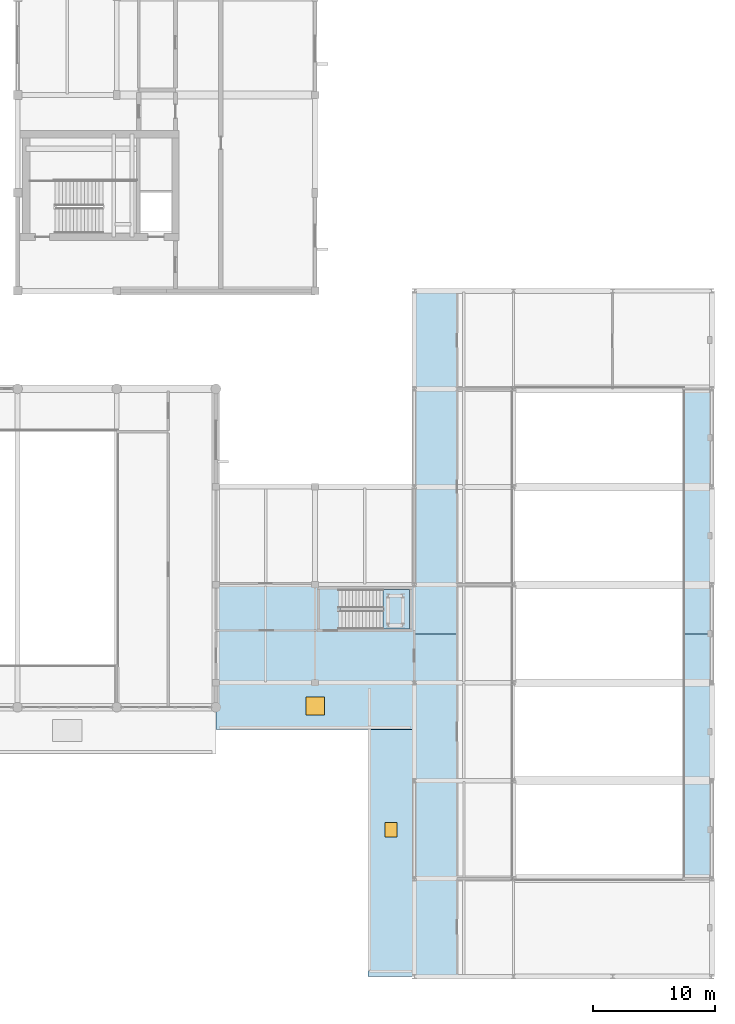
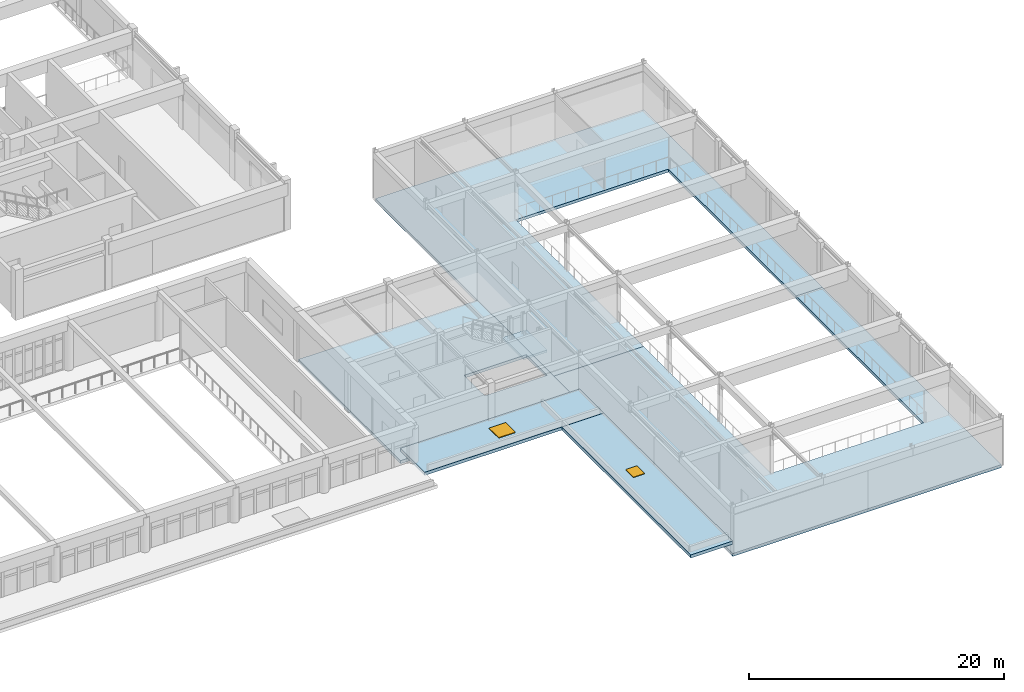
# One storey, part 40 of 61: 6 slabs, 1 door, 1 window, 2 openings, 1 element without a shape of its own.
"""IFC4 building model written with IfcOpenShell, lengths in metres."""

from ifc_helpers import new_model, si_unit, direction, frame, origin, origin_2d, place, context, subcontext, project, spatial, polyline, rectangle, outline, extrude, material, layer, layer_set, type_object, element, fill, aggregate, save


model = new_model("IFC4")

# Units and contexts
model_context = context("Model", 3, precision=1e-05, world=origin(), true_north=direction((0.0, 1.0)))
body_context = subcontext(model_context, "Body", "Model", "MODEL_VIEW")
ifc_project = project(units=[si_unit("LENGTHUNIT", "METRE"), si_unit("AREAUNIT", "SQUARE_METRE"), si_unit("VOLUMEUNIT", "CUBIC_METRE"), si_unit("PLANEANGLEUNIT", "RADIAN"), si_unit("MASSUNIT", "GRAM", prefix="KILO")], contexts=[model_context])

# Site, building, storey
site_placement = place(None, origin())
site = spatial("IfcSite", under=ifc_project, at=site_placement, CompositionType="ELEMENT")
building_placement = place(site_placement, origin())
building = spatial("IfcBuilding", under=site, at=building_placement, Name="Tarnveldt Square Police Headquarters", CompositionType="ELEMENT")
storey_placement = place(building_placement, frame((0.0, 0.0, 5.39990234375)))
storey = spatial("IfcBuildingStorey", under=building, at=storey_placement, Name="L01", CompositionType="ELEMENT", Elevation=5.39990234375)

# Slab, opening, window
ifc_material_1 = material(Name="Concrete 40 MPa", Category="concrete")
ifc_layer_1 = layer(ifc_material_1, 0.300048828125)
ifc_layer_set_1 = layer_set([ifc_layer_1], Name="Concrete 40 MPa")
slab_type_1 = type_object("IfcSlabType", Name="SL-COL-300", PredefinedType="ROOF", material=ifc_layer_set_1)
slab_1_placement = place(storey_placement, frame((0.0, 0.0, 0.900146484375)))
slab_1 = element("IfcSlab", 1, at=slab_1_placement, inside=storey, type_object=slab_type_1, Name="Tarnveldt Square Exposed Colonnade Deck COL-S-EAST", PredefinedType="ROOF", context=body_context, shape_type="SweptSolid", body=[
    extrude(outline(polyline([(121.5, 24.0), (137.699951171875, 24.0), (137.699951171875, 20.199951171875), (121.5, 20.199951171875), (121.5, 22.0), (121.5, 24.0)])), origin(), (0.0, 0.0, 1.0), 0.300048828125),
])
opening_1_placement = place(slab_1_placement, frame((129.60009765625, 22.10009765625, 0.0)))
opening_1 = element("IfcOpeningElement", 2, at=opening_1_placement, cuts=slab_1, Name="Opening SK4", PredefinedType="OPENING", context=body_context, shape_type="SweptSolid", body=[
    extrude(rectangle(XDim=1.5, YDim=1.5, at=origin_2d()), frame((0.0, 0.0, -0.010009765625)), (0.0, 0.0, 1.0), 0.380126953125),
])
ifc_material_2 = material(Name="Triple-glazed low-e laminated vision glass", Category="glass")
window_type = type_object("IfcWindowType", Name="SKY-150x150", PartitioningType="SINGLE_PANEL", PredefinedType="SKYLIGHT", material=ifc_material_2)
window_placement = place(opening_1_placement, frame((0.0, 0.0, 0.300048828125)))
window = element("IfcWindow", 3, at=window_placement, inside=storey, type_object=window_type, Name="Architectural Daylighting Skylight SKY-CND-5", OverallHeight=1.5, OverallWidth=1.5, PartitioningType="SINGLE_PANEL", PredefinedType="SKYLIGHT", context=body_context, shape_type="SweptSolid", body=[
    extrude(rectangle(XDim=1.5, YDim=1.5, at=origin_2d()), origin(), (0.0, 0.0, 1.0), 0.050048828125),
])
fill(opening_1, window)

# Slab, opening, door
slab_2_placement = place(storey_placement, frame((0.0, 0.0, 0.900146484375)))
slab_2 = element("IfcSlab", 4, at=slab_2_placement, inside=storey, type_object=slab_type_1, Name="Tarnveldt Square Exposed Colonnade Deck COL-E-FRONT", PredefinedType="ROOF", context=body_context, shape_type="SweptSolid", body=[
    extrude(outline(polyline([(137.699951171875, 0.0), (133.89990234375, 0.0), (133.89990234375, 20.199951171875), (137.699951171875, 20.199951171875), (137.699951171875, 0.0)])), origin(), (0.0, 0.0, 1.0), 0.300048828125),
])
opening_2_placement = place(slab_2_placement, frame((135.800048828125, 12.0, 0.0)))
opening_2 = element("IfcOpeningElement", 5, at=opening_2_placement, cuts=slab_2, Name="Opening RH1", PredefinedType="OPENING", context=body_context, shape_type="SweptSolid", body=[
    extrude(rectangle(XDim=1.0, YDim=1.199951171875, at=origin_2d()), frame((0.0, 0.0, -0.010009765625)), (0.0, 0.0, 1.0), 0.380126953125),
])
ifc_material_3 = material(Name="Steel 350W", Category="steel")
door_type = type_object("IfcDoorType", Name="HT-ROOF-100x120", OperationType="SINGLE_SWING_LEFT", PredefinedType="TRAPDOOR", material=ifc_material_3)
door_placement = place(opening_2_placement, frame((0.0, 0.0, 0.300048828125)))
door = element("IfcDoor", 6, at=door_placement, inside=storey, type_object=door_type, Name="Roof Maintenance Access Hatch HT-CND-2", OperationType="SINGLE_SWING_LEFT", OverallHeight=1.199951171875, OverallWidth=1.0, PredefinedType="TRAPDOOR", context=body_context, shape_type="SweptSolid", body=[
    extrude(rectangle(XDim=1.0, YDim=1.199951171875, at=origin_2d()), origin(), (0.0, 0.0, 1.0), 0.050048828125),
])
fill(opening_2, door)

# Stair, slab
stair_type = type_object("IfcStairType", Name="STR-HT-48C", PredefinedType="HALF_TURN_STAIR", material=ifc_material_1)
stair_placement = place(storey_placement, origin())
stair = element("IfcStair", 7, at=stair_placement, inside=storey, type_object=stair_type, Name="L01 East Hall Exit Stair ST7", PredefinedType="HALF_TURN_STAIR")
ifc_layer_2 = layer(ifc_material_1, 0.179931640625)
ifc_layer_set_2 = layer_set([ifc_layer_2], Name="Concrete 40 MPa")
slab_type_2 = type_object("IfcSlabType", Name="SL-LND-180", PredefinedType="LANDING", material=ifc_layer_set_2)
slab_3_placement = place(storey_placement, frame((0.0, 0.0, 2.2001953125)))
slab_3 = element("IfcSlab", 8, at=slab_3_placement, type_object=slab_type_2, Name="ST7 landing 1", PredefinedType="LANDING", context=body_context, shape_type="SweptSolid", body=[
    extrude(outline(polyline([(135.159912109375, 28.3798828125), (137.300048828125, 28.3798828125), (137.300048828125, 31.6201171875), (135.159912109375, 31.6201171875), (135.159912109375, 28.3798828125)])), origin(), (0.0, 0.0, 1.0), 0.199951171875),
])
aggregate(stair, [slab_3])

# Slabs
ifc_layer_3 = layer(ifc_material_1, 0.280029296875)
ifc_layer_set_3 = layer_set([ifc_layer_3], Name="Concrete 40 MPa")
slab_type_3 = type_object("IfcSlabType", Name="SL-POD-280", PredefinedType="FLOOR", material=ifc_layer_set_3)
slab_4_placement = place(storey_placement, frame((0.0, 0.0, -0.27978515625)))
element("IfcSlab", 9, at=slab_4_placement, inside=storey, type_object=slab_type_3, Name="L01 Structural Floor Slab L01-V3-LINK-1", PredefinedType="FLOOR", context=body_context, shape_type="SweptSolid", body=[
    extrude(outline(polyline([(121.5, 24.0), (121.5, 40.0), (137.699951171875, 40.0), (137.699951171875, 24.0), (121.5, 24.0)]), holes=[polyline([(131.659912109375, 31.6201171875), (131.659912109375, 28.3798828125), (137.300048828125, 28.3798828125), (137.300048828125, 31.6201171875), (131.659912109375, 31.6201171875)])]), origin(), (0.0, 0.0, 1.0), 0.27978515625),
])
slab_5_placement = place(storey_placement, frame((0.0, 0.0, -0.27978515625)))
element("IfcSlab", 10, at=slab_5_placement, inside=storey, type_object=slab_type_3, Name="L01 Structural Floor Slab L01-V3-1", PredefinedType="FLOOR", context=body_context, shape_type="SweptSolid", body=[
    extrude(outline(polyline([(162.0, 0.0), (137.699951171875, 0.0), (137.699951171875, 24.0), (137.699951171875, 28.0), (145.800048828125, 28.0), (145.800048828125, 8.0), (159.60009765625, 8.0), (159.60009765625, 28.0), (162.0, 28.0), (162.0, 0.0)])), origin(), (0.0, 0.0, 1.0), 0.27978515625),
])
slab_6_placement = place(storey_placement, frame((0.0, 0.0, -0.27978515625)))
element("IfcSlab", 11, at=slab_6_placement, inside=storey, type_object=slab_type_3, Name="L01 Structural Floor Slab L01-V3-2", PredefinedType="FLOOR", context=body_context, shape_type="SweptSolid", body=[
    extrude(outline(polyline([(162.0, 28.0), (159.60009765625, 28.0), (159.60009765625, 48.0), (145.800048828125, 48.0), (145.800048828125, 28.0), (137.699951171875, 28.0), (137.699951171875, 40.0), (137.699951171875, 56.0), (162.0, 56.0), (162.0, 28.0)])), origin(), (0.0, 0.0, 1.0), 0.27978515625),
])

save(model, "model.ifc")
